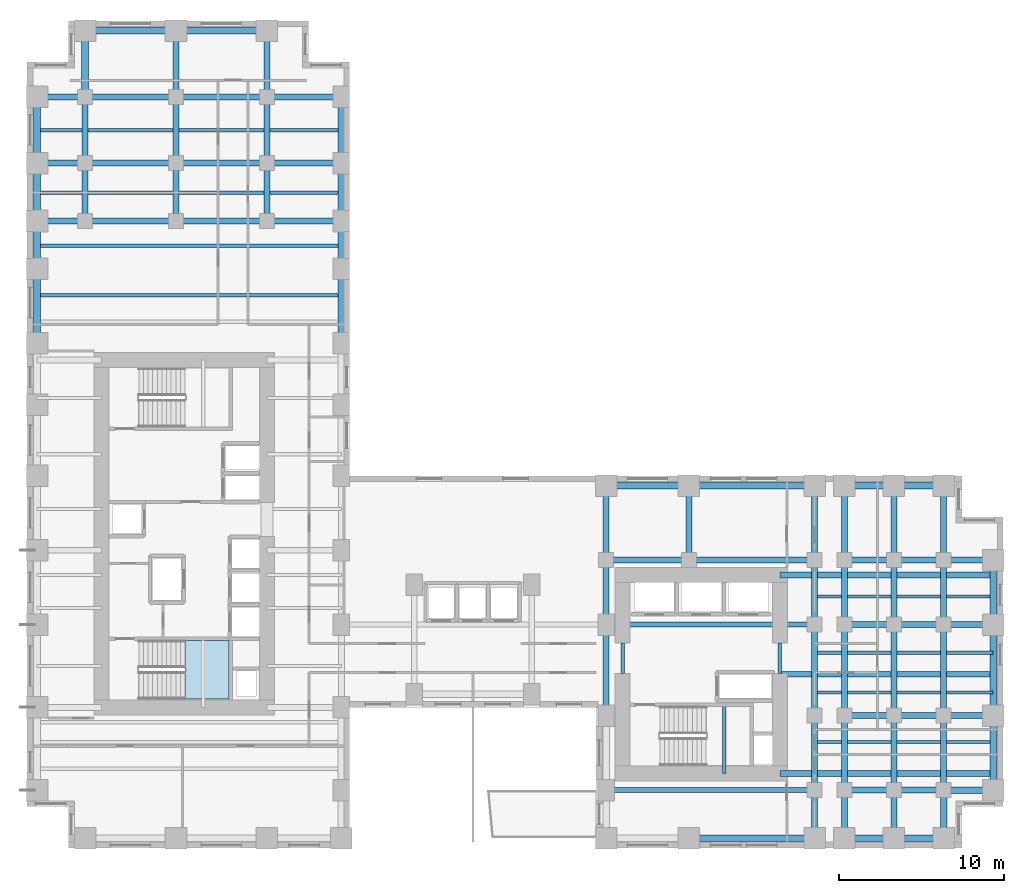
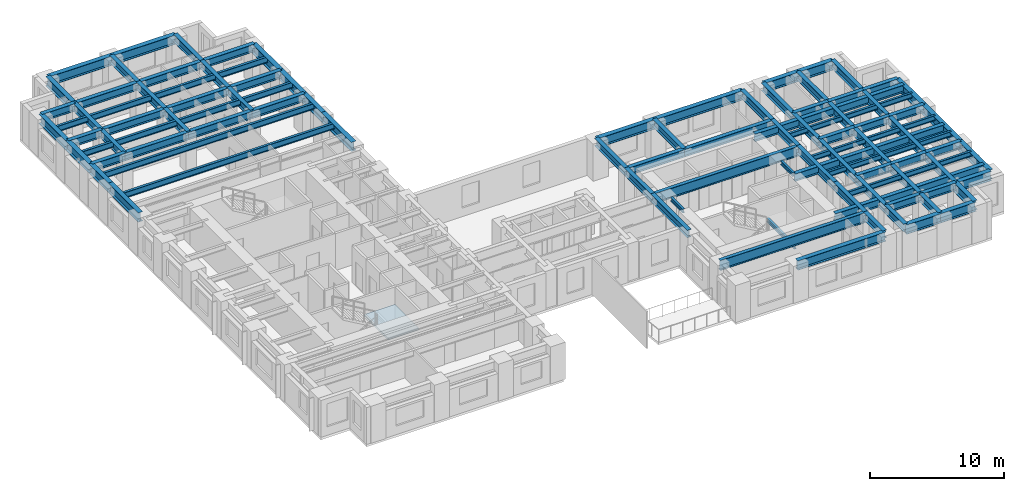
# One storey, part 2 of 12: 95 beams, 1 slab, 1 element without a shape of its own.
"""IFC4 building model written with IfcOpenShell, lengths in metres."""

from ifc_helpers import new_model, si_unit, direction, frame, origin, origin_2d, place, context, subcontext, project, spatial, polyline, i_section, outline, extrude, source, transform, mapped, material, layer, layer_set, material_profile, profile_set, type_object, element, aggregate, save


model = new_model("IFC4")

# Units and contexts
model_context = context("Model", 3, precision=1e-05, world=origin(), true_north=direction((0.0, 1.0)))
body_context = subcontext(model_context, "Body", "Model", "MODEL_VIEW")
ifc_project = project(units=[si_unit("LENGTHUNIT", "METRE"), si_unit("AREAUNIT", "SQUARE_METRE"), si_unit("VOLUMEUNIT", "CUBIC_METRE"), si_unit("PLANEANGLEUNIT", "RADIAN"), si_unit("MASSUNIT", "GRAM", prefix="KILO")], contexts=[model_context])

# Site, building, storey
site_placement = place(None, origin())
site = spatial("IfcSite", under=ifc_project, at=site_placement, CompositionType="ELEMENT")
building_placement = place(site_placement, origin())
building = spatial("IfcBuilding", under=site, at=building_placement, Name="Kharzan Plaza Tower", CompositionType="ELEMENT")
storey_placement = place(building_placement, frame((0.0, 0.0, 62.10009765625)))
storey = spatial("IfcBuildingStorey", under=building, at=storey_placement, Name="L16", CompositionType="ELEMENT", Elevation=62.10009765625)

# Beams
ifc_material_1 = material(Name="Steel S355", Category="steel")
ifc_material_profile_1 = material_profile(ifc_material_1, i_section(OverallWidth=0.205078125, OverallDepth=0.35400390625, WebThickness=0.009521484375, FlangeThickness=0.016845703125, at=origin_2d()), Name="W360x79")
ifc_profile_set_1 = profile_set([ifc_material_profile_1], Name="Steel S355")
beam_type_1 = type_object("IfcBeamType", Name="BM-LNT360", PredefinedType="LINTEL", material=ifc_profile_set_1)
shared_shape_1 = source(origin(), body_context, "Body", "SweptSolid", [
    extrude(i_section(OverallWidth=0.205078125, OverallDepth=0.35400390625, WebThickness=0.009521484375, FlangeThickness=0.016845703125, at=origin_2d()), origin(), (0.0, 0.0, 1.0), 1.849853515625),
])
for number, where, z_axis, x_axis, name in (
    (1, (45.5, 10.550048828125, 3.202880859375), (0.0, 1.0, 0.0), (-1.0, 0.0, 0.0), "L16 CORE-B coupling lintel LN1-WE"),
    (2, (36.0, 10.550048828125, 3.202880859375), (0.0, 1.0, 0.0), (-1.0, 0.0, 0.0), "L16 CORE-B coupling lintel LN1-WW"),
):
    element("IfcBeam", number, at=place(storey_placement, frame(where, z_axis=z_axis, x_axis=x_axis)), inside=storey, type_object=beam_type_1, Name=name, PredefinedType="LINTEL", context=body_context, shape_type="MappedRepresentation", body=[
        mapped(shared_shape_1, transform((0.0, 0.0, 0.0), x_axis=(1.0, 0.0, 0.0), y_axis=(0.0, 1.0, 0.0), z_axis=(0.0, 0.0, 1.0))),
    ])
shared_shape_2 = source(origin(), body_context, "Body", "SweptSolid", [
    extrude(i_section(OverallWidth=0.205078125, OverallDepth=0.35400390625, WebThickness=0.009521484375, FlangeThickness=0.016845703125, at=origin_2d()), origin(), (0.0, 0.0, 1.0), 4.155029296875),
])
beam_1_placement = place(storey_placement, frame((42.14990234375, 4.5, 1.4228515625), z_axis=(0.0, 1.0, 0.0), x_axis=(-1.0, 0.0, 0.0)))
element("IfcBeam", 3, at=beam_1_placement, inside=storey, type_object=beam_type_1, Name="L16 Stair ST-3 Half-Landing Beam", PredefinedType="LINTEL", context=body_context, shape_type="MappedRepresentation", body=[
    mapped(shared_shape_2, transform((0.0, 0.0, 0.0), x_axis=(1.0, 0.0, 0.0), y_axis=(0.0, 1.0, 0.0), z_axis=(0.0, 0.0, 1.0))),
])
ifc_material_profile_2 = material_profile(ifc_material_1, i_section(OverallWidth=0.304931640625, OverallDepth=0.9189453125, WebThickness=0.017333984375, FlangeThickness=0.02783203125, at=origin_2d()), Name="W920x253")
ifc_profile_set_2 = profile_set([ifc_material_profile_2], Name="Steel S355")
beam_type_2 = type_object("IfcBeamType", Name="BM-FG920B", PredefinedType="BEAM", material=ifc_profile_set_2)
shared_shape_3 = source(origin(), body_context, "Body", "SweptSolid", [
    extrude(i_section(OverallWidth=0.304931640625, OverallDepth=0.9189453125, WebThickness=0.017333984375, FlangeThickness=0.02783203125, at=origin_2d()), origin(), (0.0, 0.0, 1.0), 12.60009765625),
])
for number, where, z_axis, x_axis, name in (
    (4, (35.0, 3.5, 2.92041015625), (1.0, 0.0, 0.0), (0.0, 1.0, 0.0), "L16 Primary Floor Girder"),
    (5, (35.0, 13.5, 2.92041015625), (1.0, 0.0, 0.0), (0.0, 1.0, 0.0), "L16 Primary Floor Girder"),
):
    element("IfcBeam", number, at=place(storey_placement, frame(where, z_axis=z_axis, x_axis=x_axis)), inside=storey, type_object=beam_type_2, Name=name, PredefinedType="BEAM", context=body_context, shape_type="MappedRepresentation", body=[
        mapped(shared_shape_3, transform((0.0, 0.0, 0.0), x_axis=(1.0, 0.0, 0.0), y_axis=(0.0, 1.0, 0.0), z_axis=(0.0, 0.0, 1.0))),
    ])
ifc_material_profile_3 = material_profile(ifc_material_1, i_section(OverallWidth=0.35498046875, OverallDepth=0.695068359375, WebThickness=0.015380859375, FlangeThickness=0.02490234375, at=origin_2d()), Name="W690x217")
ifc_profile_set_3 = profile_set([ifc_material_profile_3], Name="Steel S355")
beam_type_3 = type_object("IfcBeamType", Name="BM-FG690A", PredefinedType="BEAM", material=ifc_profile_set_3)
shared_shape_4 = source(origin(), body_context, "Body", "SweptSolid", [
    extrude(i_section(OverallWidth=0.35498046875, OverallDepth=0.695068359375, WebThickness=0.015380859375, FlangeThickness=0.02490234375, at=origin_2d()), origin(), (0.0, 0.0, 1.0), 4.5),
])
for number, where, z_axis, x_axis, name in (
    (6, (35.0, 17.39990234375, 3.032470703125), (0.0, 1.0, 0.0), (-1.0, 0.0, 0.0), "L16 Interior Frame Girder"),
    (7, (40.0, 17.39990234375, 3.032470703125), (0.0, 1.0, 0.0), (-1.0, 0.0, 0.0), "L16 Interior Frame Girder"),
    (8, (47.60009765625, 3.5, 3.032470703125), (0.0, 1.0, 0.0), (-1.0, 0.0, 0.0), "L16 Interior Frame Girder"),
    (9, (47.60009765625, 17.39990234375, 3.032470703125), (0.0, 1.0, 0.0), (-1.0, 0.0, 0.0), "L16 Interior Frame Girder"),
    (10, (49.39990234375, 3.5, 3.032470703125), (0.0, 1.0, 0.0), (-1.0, 0.0, 0.0), "L16 Interior Frame Girder"),
    (11, (49.39990234375, 17.39990234375, 3.032470703125), (0.0, 1.0, 0.0), (-1.0, 0.0, 0.0), "L16 Interior Frame Girder"),
    (12, (52.39990234375, 3.5, 3.032470703125), (0.0, 1.0, 0.0), (-1.0, 0.0, 0.0), "L16 Interior Frame Girder"),
    (13, (52.39990234375, 17.39990234375, 3.032470703125), (0.0, 1.0, 0.0), (-1.0, 0.0, 0.0), "L16 Interior Frame Girder"),
    (14, (55.39990234375, 3.5, 3.032470703125), (0.0, 1.0, 0.0), (-1.0, 0.0, 0.0), "L16 Interior Frame Girder"),
    (15, (55.39990234375, 17.39990234375, 3.032470703125), (0.0, 1.0, 0.0), (-1.0, 0.0, 0.0), "L16 Interior Frame Girder"),
    (16, (14.5, 41.39990234375, 3.032470703125), (1.0, 0.0, 0.0), (0.0, 1.0, 0.0), "L16 Primary Floor Girder"),
    (17, (14.5, 45.39990234375, 3.032470703125), (1.0, 0.0, 0.0), (0.0, 1.0, 0.0), "L16 Primary Floor Girder"),
    (18, (14.5, 37.89990234375, 3.032470703125), (1.0, 0.0, 0.0), (0.0, 1.0, 0.0), "L16 Primary Floor Girder"),
):
    element("IfcBeam", number, at=place(storey_placement, frame(where, z_axis=z_axis, x_axis=x_axis)), inside=storey, type_object=beam_type_3, Name=name, PredefinedType="BEAM", context=body_context, shape_type="MappedRepresentation", body=[
        mapped(shared_shape_4, transform((0.0, 0.0, 0.0), x_axis=(1.0, 0.0, 0.0), y_axis=(0.0, 1.0, 0.0), z_axis=(0.0, 0.0, 1.0))),
    ])
shared_shape_5 = source(origin(), body_context, "Body", "SweptSolid", [
    extrude(i_section(OverallWidth=0.35498046875, OverallDepth=0.695068359375, WebThickness=0.015380859375, FlangeThickness=0.02490234375, at=origin_2d()), origin(), (0.0, 0.0, 1.0), 3.89990234375),
])
for number, where, z_axis, x_axis, name in (
    (19, (35.0, 13.5, 3.032470703125), (0.0, 1.0, 0.0), (-1.0, 0.0, 0.0), "L16 Interior Frame Girder"),
    (20, (47.60009765625, 13.5, 3.032470703125), (0.0, 1.0, 0.0), (-1.0, 0.0, 0.0), "L16 Interior Frame Girder"),
    (21, (49.39990234375, 13.5, 3.032470703125), (0.0, 1.0, 0.0), (-1.0, 0.0, 0.0), "L16 Interior Frame Girder"),
    (22, (52.39990234375, 13.5, 3.032470703125), (0.0, 1.0, 0.0), (-1.0, 0.0, 0.0), "L16 Interior Frame Girder"),
    (23, (55.39990234375, 13.5, 3.032470703125), (0.0, 1.0, 0.0), (-1.0, 0.0, 0.0), "L16 Interior Frame Girder"),
):
    element("IfcBeam", number, at=place(storey_placement, frame(where, z_axis=z_axis, x_axis=x_axis)), inside=storey, type_object=beam_type_3, Name=name, PredefinedType="BEAM", context=body_context, shape_type="MappedRepresentation", body=[
        mapped(shared_shape_5, transform((0.0, 0.0, 0.0), x_axis=(1.0, 0.0, 0.0), y_axis=(0.0, 1.0, 0.0), z_axis=(0.0, 0.0, 1.0))),
    ])
shared_shape_6 = source(origin(), body_context, "Body", "SweptSolid", [
    extrude(i_section(OverallWidth=0.35498046875, OverallDepth=0.695068359375, WebThickness=0.015380859375, FlangeThickness=0.02490234375, at=origin_2d()), origin(), (0.0, 0.0, 1.0), 12.89990234375),
])
for number, where, z_axis, x_axis, name in (
    (24, (45.5, 4.5, 3.032470703125), (1.0, 0.0, 0.0), (0.0, 1.0, 0.0), "L16 Core-B East Floor Girder 1"),
    (25, (45.5, 10.5, 3.032470703125), (1.0, 0.0, 0.0), (0.0, 1.0, 0.0), "L16 Core-B East Floor Girder 2"),
    (26, (45.5, 16.5, 3.032470703125), (1.0, 0.0, 0.0), (0.0, 1.0, 0.0), "L16 Core-B East Floor Girder 3"),
):
    element("IfcBeam", number, at=place(storey_placement, frame(where, z_axis=z_axis, x_axis=x_axis)), inside=storey, type_object=beam_type_3, Name=name, PredefinedType="BEAM", context=body_context, shape_type="MappedRepresentation", body=[
        mapped(shared_shape_6, transform((0.0, 0.0, 0.0), x_axis=(1.0, 0.0, 0.0), y_axis=(0.0, 1.0, 0.0), z_axis=(0.0, 0.0, 1.0))),
    ])
shared_shape_7 = source(origin(), body_context, "Body", "SweptSolid", [
    extrude(i_section(OverallWidth=0.35498046875, OverallDepth=0.695068359375, WebThickness=0.015380859375, FlangeThickness=0.02490234375, at=origin_2d()), origin(), (0.0, 0.0, 1.0), 3.5),
])
for number, where, z_axis, x_axis, name in (
    (27, (3.5, 37.89990234375, 3.032470703125), (0.0, 1.0, 0.0), (-1.0, 0.0, 0.0), "L16 Interior Frame Girder"),
    (28, (9.0, 37.89990234375, 3.032470703125), (0.0, 1.0, 0.0), (-1.0, 0.0, 0.0), "L16 Interior Frame Girder"),
    (29, (14.5, 37.89990234375, 3.032470703125), (0.0, 1.0, 0.0), (-1.0, 0.0, 0.0), "L16 Interior Frame Girder"),
):
    element("IfcBeam", number, at=place(storey_placement, frame(where, z_axis=z_axis, x_axis=x_axis)), inside=storey, type_object=beam_type_3, Name=name, PredefinedType="BEAM", context=body_context, shape_type="MappedRepresentation", body=[
        mapped(shared_shape_7, transform((0.0, 0.0, 0.0), x_axis=(1.0, 0.0, 0.0), y_axis=(0.0, 1.0, 0.0), z_axis=(0.0, 0.0, 1.0))),
    ])
shared_shape_8 = source(origin(), body_context, "Body", "SweptSolid", [
    extrude(i_section(OverallWidth=0.35498046875, OverallDepth=0.695068359375, WebThickness=0.015380859375, FlangeThickness=0.02490234375, at=origin_2d()), origin(), (0.0, 0.0, 1.0), 4.0),
])
for number, where, z_axis, x_axis, name in (
    (30, (3.5, 41.39990234375, 3.032470703125), (0.0, 1.0, 0.0), (-1.0, 0.0, 0.0), "L16 Interior Frame Girder"),
    (31, (9.0, 41.39990234375, 3.032470703125), (0.0, 1.0, 0.0), (-1.0, 0.0, 0.0), "L16 Interior Frame Girder"),
    (32, (9.0, 45.39990234375, 3.032470703125), (0.0, 1.0, 0.0), (-1.0, 0.0, 0.0), "L16 Interior Frame Girder"),
    (33, (14.5, 41.39990234375, 3.032470703125), (0.0, 1.0, 0.0), (-1.0, 0.0, 0.0), "L16 Interior Frame Girder"),
    (34, (14.5, 45.39990234375, 3.032470703125), (0.0, 1.0, 0.0), (-1.0, 0.0, 0.0), "L16 Interior Frame Girder"),
):
    element("IfcBeam", number, at=place(storey_placement, frame(where, z_axis=z_axis, x_axis=x_axis)), inside=storey, type_object=beam_type_3, Name=name, PredefinedType="BEAM", context=body_context, shape_type="MappedRepresentation", body=[
        mapped(shared_shape_8, transform((0.0, 0.0, 0.0), x_axis=(1.0, 0.0, 0.0), y_axis=(0.0, 1.0, 0.0), z_axis=(0.0, 0.0, 1.0))),
    ])
shared_shape_9 = source(origin(), body_context, "Body", "SweptSolid", [
    extrude(i_section(OverallWidth=0.35498046875, OverallDepth=0.695068359375, WebThickness=0.015380859375, FlangeThickness=0.02490234375, at=origin_2d()), origin(), (0.0, 0.0, 1.0), 5.0),
])
beam_2_placement = place(storey_placement, frame((35.0, 17.39990234375, 3.032470703125), z_axis=(1.0, 0.0, 0.0), x_axis=(0.0, 1.0, 0.0)))
element("IfcBeam", 35, at=beam_2_placement, inside=storey, type_object=beam_type_3, Name="L16 Primary Floor Girder", PredefinedType="BEAM", context=body_context, shape_type="MappedRepresentation", body=[
    mapped(shared_shape_9, transform((0.0, 0.0, 0.0), x_axis=(1.0, 0.0, 0.0), y_axis=(0.0, 1.0, 0.0), z_axis=(0.0, 0.0, 1.0))),
])
shared_shape_10 = source(origin(), body_context, "Body", "SweptSolid", [
    extrude(i_section(OverallWidth=0.35498046875, OverallDepth=0.695068359375, WebThickness=0.015380859375, FlangeThickness=0.02490234375, at=origin_2d()), origin(), (0.0, 0.0, 1.0), 5.5),
])
for number, where, z_axis, x_axis, name in (
    (36, (35.0, 8.0, 3.032470703125), (0.0, 1.0, 0.0), (-1.0, 0.0, 0.0), "L16 Interior Frame Girder"),
    (37, (47.60009765625, 8.0, 3.032470703125), (0.0, 1.0, 0.0), (-1.0, 0.0, 0.0), "L16 Interior Frame Girder"),
    (38, (49.39990234375, 8.0, 3.032470703125), (0.0, 1.0, 0.0), (-1.0, 0.0, 0.0), "L16 Interior Frame Girder"),
    (39, (52.39990234375, 8.0, 3.032470703125), (0.0, 1.0, 0.0), (-1.0, 0.0, 0.0), "L16 Interior Frame Girder"),
    (40, (55.39990234375, 8.0, 3.032470703125), (0.0, 1.0, 0.0), (-1.0, 0.0, 0.0), "L16 Interior Frame Girder"),
    (41, (3.5, 45.39990234375, 3.032470703125), (1.0, 0.0, 0.0), (0.0, 1.0, 0.0), "L16 Primary Floor Girder"),
    (42, (9.0, 45.39990234375, 3.032470703125), (1.0, 0.0, 0.0), (0.0, 1.0, 0.0), "L16 Primary Floor Girder"),
    (43, (3.5, 37.89990234375, 3.032470703125), (1.0, 0.0, 0.0), (0.0, 1.0, 0.0), "L16 Primary Floor Girder"),
    (44, (9.0, 37.89990234375, 3.032470703125), (1.0, 0.0, 0.0), (0.0, 1.0, 0.0), "L16 Primary Floor Girder"),
    (45, (3.5, 41.39990234375, 3.032470703125), (1.0, 0.0, 0.0), (0.0, 1.0, 0.0), "L16 Primary Floor Girder"),
    (46, (9.0, 41.39990234375, 3.032470703125), (1.0, 0.0, 0.0), (0.0, 1.0, 0.0), "L16 Primary Floor Girder"),
):
    element("IfcBeam", number, at=place(storey_placement, frame(where, z_axis=z_axis, x_axis=x_axis)), inside=storey, type_object=beam_type_3, Name=name, PredefinedType="BEAM", context=body_context, shape_type="MappedRepresentation", body=[
        mapped(shared_shape_10, transform((0.0, 0.0, 0.0), x_axis=(1.0, 0.0, 0.0), y_axis=(0.0, 1.0, 0.0), z_axis=(0.0, 0.0, 1.0))),
    ])
shared_shape_11 = source(origin(), body_context, "Body", "SweptSolid", [
    extrude(i_section(OverallWidth=0.35498046875, OverallDepth=0.695068359375, WebThickness=0.015380859375, FlangeThickness=0.02490234375, at=origin_2d()), origin(), (0.0, 0.0, 1.0), 2.89990234375),
])
for number, where, z_axis, x_axis, name in (
    (47, (47.60009765625, 0.60009765625, 3.032470703125), (0.0, 1.0, 0.0), (-1.0, 0.0, 0.0), "L16 Interior Frame Girder"),
    (48, (49.39990234375, 0.60009765625, 3.032470703125), (0.0, 1.0, 0.0), (-1.0, 0.0, 0.0), "L16 Interior Frame Girder"),
    (49, (52.39990234375, 0.60009765625, 3.032470703125), (0.0, 1.0, 0.0), (-1.0, 0.0, 0.0), "L16 Interior Frame Girder"),
    (50, (0.60009765625, 45.39990234375, 3.032470703125), (1.0, 0.0, 0.0), (0.0, 1.0, 0.0), "L16 Primary Floor Girder"),
    (51, (0.60009765625, 37.89990234375, 3.032470703125), (1.0, 0.0, 0.0), (0.0, 1.0, 0.0), "L16 Primary Floor Girder"),
    (52, (0.60009765625, 41.39990234375, 3.032470703125), (1.0, 0.0, 0.0), (0.0, 1.0, 0.0), "L16 Primary Floor Girder"),
):
    element("IfcBeam", number, at=place(storey_placement, frame(where, z_axis=z_axis, x_axis=x_axis)), inside=storey, type_object=beam_type_3, Name=name, PredefinedType="BEAM", context=body_context, shape_type="MappedRepresentation", body=[
        mapped(shared_shape_11, transform((0.0, 0.0, 0.0), x_axis=(1.0, 0.0, 0.0), y_axis=(0.0, 1.0, 0.0), z_axis=(0.0, 0.0, 1.0))),
    ])
shared_shape_12 = source(origin(), body_context, "Body", "SweptSolid", [
    extrude(i_section(OverallWidth=0.35498046875, OverallDepth=0.695068359375, WebThickness=0.015380859375, FlangeThickness=0.02490234375, at=origin_2d()), origin(), (0.0, 0.0, 1.0), 3.0),
])
for number, where, z_axis, x_axis, name in (
    (53, (49.39990234375, 3.5, 3.032470703125), (1.0, 0.0, 0.0), (0.0, 1.0, 0.0), "L16 Primary Floor Girder"),
    (54, (52.39990234375, 3.5, 3.032470703125), (1.0, 0.0, 0.0), (0.0, 1.0, 0.0), "L16 Primary Floor Girder"),
    (55, (49.39990234375, 8.0, 3.032470703125), (1.0, 0.0, 0.0), (0.0, 1.0, 0.0), "L16 Primary Floor Girder"),
    (56, (52.39990234375, 8.0, 3.032470703125), (1.0, 0.0, 0.0), (0.0, 1.0, 0.0), "L16 Primary Floor Girder"),
    (57, (55.39990234375, 8.0, 3.032470703125), (1.0, 0.0, 0.0), (0.0, 1.0, 0.0), "L16 Primary Floor Girder"),
    (58, (49.39990234375, 13.5, 3.032470703125), (1.0, 0.0, 0.0), (0.0, 1.0, 0.0), "L16 Primary Floor Girder"),
    (59, (52.39990234375, 13.5, 3.032470703125), (1.0, 0.0, 0.0), (0.0, 1.0, 0.0), "L16 Primary Floor Girder"),
    (60, (55.39990234375, 13.5, 3.032470703125), (1.0, 0.0, 0.0), (0.0, 1.0, 0.0), "L16 Primary Floor Girder"),
    (61, (49.39990234375, 17.39990234375, 3.032470703125), (1.0, 0.0, 0.0), (0.0, 1.0, 0.0), "L16 Primary Floor Girder"),
    (62, (52.39990234375, 17.39990234375, 3.032470703125), (1.0, 0.0, 0.0), (0.0, 1.0, 0.0), "L16 Primary Floor Girder"),
    (63, (55.39990234375, 17.39990234375, 3.032470703125), (1.0, 0.0, 0.0), (0.0, 1.0, 0.0), "L16 Primary Floor Girder"),
):
    element("IfcBeam", number, at=place(storey_placement, frame(where, z_axis=z_axis, x_axis=x_axis)), inside=storey, type_object=beam_type_3, Name=name, PredefinedType="BEAM", context=body_context, shape_type="MappedRepresentation", body=[
        mapped(shared_shape_12, transform((0.0, 0.0, 0.0), x_axis=(1.0, 0.0, 0.0), y_axis=(0.0, 1.0, 0.0), z_axis=(0.0, 0.0, 1.0))),
    ])
shared_shape_13 = source(origin(), body_context, "Body", "SweptSolid", [
    extrude(i_section(OverallWidth=0.35498046875, OverallDepth=0.695068359375, WebThickness=0.015380859375, FlangeThickness=0.02490234375, at=origin_2d()), origin(), (0.0, 0.0, 1.0), 7.60009765625),
])
beam_3_placement = place(storey_placement, frame((40.0, 17.39990234375, 3.032470703125), z_axis=(1.0, 0.0, 0.0), x_axis=(0.0, 1.0, 0.0)))
element("IfcBeam", 64, at=beam_3_placement, inside=storey, type_object=beam_type_3, Name="L16 Primary Floor Girder", PredefinedType="BEAM", context=body_context, shape_type="MappedRepresentation", body=[
    mapped(shared_shape_13, transform((0.0, 0.0, 0.0), x_axis=(1.0, 0.0, 0.0), y_axis=(0.0, 1.0, 0.0), z_axis=(0.0, 0.0, 1.0))),
])
ifc_material_profile_4 = material_profile(ifc_material_1, i_section(OverallWidth=0.2099609375, OverallDepth=0.537109375, WebThickness=0.010986328125, FlangeThickness=0.017333984375, at=origin_2d()), Name="W530x101")
ifc_profile_set_4 = profile_set([ifc_material_profile_4], Name="Steel S355")
beam_type_4 = type_object("IfcBeamType", Name="BM-JST530B", PredefinedType="JOIST", material=ifc_profile_set_4)
shared_shape_14 = source(origin(), body_context, "Body", "SweptSolid", [
    extrude(i_section(OverallWidth=0.2099609375, OverallDepth=0.537109375, WebThickness=0.010986328125, FlangeThickness=0.017333984375, at=origin_2d()), origin(), (0.0, 0.0, 1.0), 18.39990234375),
])
for number, where, z_axis, x_axis, name in (
    (65, (0.60009765625, 33.39990234375, 3.111328125), (1.0, 0.0, 0.0), (0.0, 1.0, 0.0), "L16 Wing A Composite Joist 05"),
    (66, (0.60009765625, 36.39990234375, 3.111328125), (1.0, 0.0, 0.0), (0.0, 1.0, 0.0), "L16 Wing A Composite Joist 06"),
    (67, (0.60009765625, 39.60009765625, 3.111328125), (1.0, 0.0, 0.0), (0.0, 1.0, 0.0), "L16 Wing A Composite Joist 07"),
    (68, (0.60009765625, 43.39990234375, 3.111328125), (1.0, 0.0, 0.0), (0.0, 1.0, 0.0), "L16 Wing A Composite Joist 08"),
):
    element("IfcBeam", number, at=place(storey_placement, frame(where, z_axis=z_axis, x_axis=x_axis)), inside=storey, type_object=beam_type_4, Name=name, PredefinedType="JOIST", context=body_context, shape_type="MappedRepresentation", body=[
        mapped(shared_shape_14, transform((0.0, 0.0, 0.0), x_axis=(1.0, 0.0, 0.0), y_axis=(0.0, 1.0, 0.0), z_axis=(0.0, 0.0, 1.0))),
    ])
ifc_material_profile_5 = material_profile(ifc_material_1, i_section(OverallWidth=0.194091796875, OverallDepth=0.468994140625, WebThickness=0.011474609375, FlangeThickness=0.0205078125, at=origin_2d()), Name="W460x106")
ifc_profile_set_5 = profile_set([ifc_material_profile_5], Name="Steel S355")
beam_type_5 = type_object("IfcBeamType", Name="BM-JST460", PredefinedType="JOIST", material=ifc_profile_set_5)
shared_shape_15 = source(origin(), body_context, "Body", "SweptSolid", [
    extrude(i_section(OverallWidth=0.194091796875, OverallDepth=0.468994140625, WebThickness=0.011474609375, FlangeThickness=0.0205078125, at=origin_2d()), origin(), (0.0, 0.0, 1.0), 10.7998046875),
])
for number, where, z_axis, x_axis, name in (
    (69, (47.60009765625, 6.39990234375, 3.1455078125), (1.0, 0.0, 0.0), (0.0, 1.0, 0.0), "L16 Wing B Composite Joist 02"),
    (70, (47.60009765625, 9.39990234375, 3.1455078125), (1.0, 0.0, 0.0), (0.0, 1.0, 0.0), "L16 Wing B Composite Joist 03"),
    (71, (47.60009765625, 11.800048828125, 3.1455078125), (1.0, 0.0, 0.0), (0.0, 1.0, 0.0), "L16 Wing B Composite Joist 04"),
    (72, (47.60009765625, 15.199951171875, 3.1455078125), (1.0, 0.0, 0.0), (0.0, 1.0, 0.0), "L16 Wing B Composite Joist 05"),
):
    element("IfcBeam", number, at=place(storey_placement, frame(where, z_axis=z_axis, x_axis=x_axis)), inside=storey, type_object=beam_type_5, Name=name, PredefinedType="JOIST", context=body_context, shape_type="MappedRepresentation", body=[
        mapped(shared_shape_15, transform((0.0, 0.0, 0.0), x_axis=(1.0, 0.0, 0.0), y_axis=(0.0, 1.0, 0.0), z_axis=(0.0, 0.0, 1.0))),
    ])
ifc_material_profile_6 = material_profile(ifc_material_1, i_section(OverallWidth=0.40087890625, OverallDepth=0.85498046875, WebThickness=0.018310546875, FlangeThickness=0.029296875, at=origin_2d()), Name="W840x299")
ifc_profile_set_6 = profile_set([ifc_material_profile_6], Name="Steel S355")
beam_type_6 = type_object("IfcBeamType", Name="BM-SP840A", PredefinedType="SPANDREL", material=ifc_profile_set_6)
shared_shape_16 = source(origin(), body_context, "Body", "SweptSolid", [
    extrude(i_section(OverallWidth=0.40087890625, OverallDepth=0.85498046875, WebThickness=0.018310546875, FlangeThickness=0.029296875, at=origin_2d()), origin(), (0.0, 0.0, 1.0), 5.0),
])
beam_4_placement = place(storey_placement, frame((35.0, 21.89990234375, 2.952392578125), z_axis=(1.0, 0.0, 0.0), x_axis=(0.0, 1.0, 0.0)))
element("IfcBeam", 73, at=beam_4_placement, inside=storey, type_object=beam_type_6, Name="L16 Perimeter Tube Spandrel", PredefinedType="SPANDREL", context=body_context, shape_type="MappedRepresentation", body=[
    mapped(shared_shape_16, transform((0.0, 0.0, 0.0), x_axis=(1.0, 0.0, 0.0), y_axis=(0.0, 1.0, 0.0), z_axis=(0.0, 0.0, 1.0))),
])
shared_shape_17 = source(origin(), body_context, "Body", "SweptSolid", [
    extrude(i_section(OverallWidth=0.40087890625, OverallDepth=0.85498046875, WebThickness=0.018310546875, FlangeThickness=0.029296875, at=origin_2d()), origin(), (0.0, 0.0, 1.0), 4.5),
])
for number, where, z_axis, x_axis, name in (
    (74, (0.60009765625, 30.5, 2.952392578125), (0.0, 1.0, 0.0), (-1.0, 0.0, 0.0), "L16 Perimeter Tube Spandrel"),
    (75, (19.0, 30.5, 2.952392578125), (0.0, 1.0, 0.0), (-1.0, 0.0, 0.0), "L16 Perimeter Tube Spandrel"),
    (76, (58.39990234375, 3.5, 2.952392578125), (0.0, 1.0, 0.0), (-1.0, 0.0, 0.0), "L16 Perimeter Tube Spandrel"),
):
    element("IfcBeam", number, at=place(storey_placement, frame(where, z_axis=z_axis, x_axis=x_axis)), inside=storey, type_object=beam_type_6, Name=name, PredefinedType="SPANDREL", context=body_context, shape_type="MappedRepresentation", body=[
        mapped(shared_shape_17, transform((0.0, 0.0, 0.0), x_axis=(1.0, 0.0, 0.0), y_axis=(0.0, 1.0, 0.0), z_axis=(0.0, 0.0, 1.0))),
    ])
shared_shape_18 = source(origin(), body_context, "Body", "SweptSolid", [
    extrude(i_section(OverallWidth=0.40087890625, OverallDepth=0.85498046875, WebThickness=0.018310546875, FlangeThickness=0.029296875, at=origin_2d()), origin(), (0.0, 0.0, 1.0), 2.89990234375),
])
for number, where, z_axis, x_axis, name in (
    (77, (0.60009765625, 35.0, 2.952392578125), (0.0, 1.0, 0.0), (-1.0, 0.0, 0.0), "L16 Perimeter Tube Spandrel"),
    (78, (19.0, 35.0, 2.952392578125), (0.0, 1.0, 0.0), (-1.0, 0.0, 0.0), "L16 Perimeter Tube Spandrel"),
    (79, (55.39990234375, 0.60009765625, 2.952392578125), (0.0, 1.0, 0.0), (-1.0, 0.0, 0.0), "L16 Perimeter Tube Spandrel"),
):
    element("IfcBeam", number, at=place(storey_placement, frame(where, z_axis=z_axis, x_axis=x_axis)), inside=storey, type_object=beam_type_6, Name=name, PredefinedType="SPANDREL", context=body_context, shape_type="MappedRepresentation", body=[
        mapped(shared_shape_18, transform((0.0, 0.0, 0.0), x_axis=(1.0, 0.0, 0.0), y_axis=(0.0, 1.0, 0.0), z_axis=(0.0, 0.0, 1.0))),
    ])
shared_shape_19 = source(origin(), body_context, "Body", "SweptSolid", [
    extrude(i_section(OverallWidth=0.40087890625, OverallDepth=0.85498046875, WebThickness=0.018310546875, FlangeThickness=0.029296875, at=origin_2d()), origin(), (0.0, 0.0, 1.0), 3.5),
])
for number, where, z_axis, x_axis, name in (
    (80, (0.60009765625, 37.89990234375, 2.952392578125), (0.0, 1.0, 0.0), (-1.0, 0.0, 0.0), "L16 Perimeter Tube Spandrel"),
    (81, (19.0, 37.89990234375, 2.952392578125), (0.0, 1.0, 0.0), (-1.0, 0.0, 0.0), "L16 Perimeter Tube Spandrel"),
):
    element("IfcBeam", number, at=place(storey_placement, frame(where, z_axis=z_axis, x_axis=x_axis)), inside=storey, type_object=beam_type_6, Name=name, PredefinedType="SPANDREL", context=body_context, shape_type="MappedRepresentation", body=[
        mapped(shared_shape_19, transform((0.0, 0.0, 0.0), x_axis=(1.0, 0.0, 0.0), y_axis=(0.0, 1.0, 0.0), z_axis=(0.0, 0.0, 1.0))),
    ])
shared_shape_20 = source(origin(), body_context, "Body", "SweptSolid", [
    extrude(i_section(OverallWidth=0.40087890625, OverallDepth=0.85498046875, WebThickness=0.018310546875, FlangeThickness=0.029296875, at=origin_2d()), origin(), (0.0, 0.0, 1.0), 4.0),
])
for number, where, z_axis, x_axis, name in (
    (82, (0.60009765625, 41.39990234375, 2.952392578125), (0.0, 1.0, 0.0), (-1.0, 0.0, 0.0), "L16 Perimeter Tube Spandrel"),
    (83, (3.5, 45.39990234375, 2.952392578125), (0.0, 1.0, 0.0), (-1.0, 0.0, 0.0), "L16 Perimeter Tube Spandrel"),
    (84, (19.0, 41.39990234375, 2.952392578125), (0.0, 1.0, 0.0), (-1.0, 0.0, 0.0), "L16 Perimeter Tube Spandrel"),
):
    element("IfcBeam", number, at=place(storey_placement, frame(where, z_axis=z_axis, x_axis=x_axis)), inside=storey, type_object=beam_type_6, Name=name, PredefinedType="SPANDREL", context=body_context, shape_type="MappedRepresentation", body=[
        mapped(shared_shape_20, transform((0.0, 0.0, 0.0), x_axis=(1.0, 0.0, 0.0), y_axis=(0.0, 1.0, 0.0), z_axis=(0.0, 0.0, 1.0))),
    ])
shared_shape_21 = source(origin(), body_context, "Body", "SweptSolid", [
    extrude(i_section(OverallWidth=0.40087890625, OverallDepth=0.85498046875, WebThickness=0.018310546875, FlangeThickness=0.029296875, at=origin_2d()), origin(), (0.0, 0.0, 1.0), 5.5),
])
for number, where, z_axis, x_axis, name in (
    (85, (58.39990234375, 8.0, 2.952392578125), (0.0, 1.0, 0.0), (-1.0, 0.0, 0.0), "L16 Perimeter Tube Spandrel"),
    (86, (3.5, 49.39990234375, 2.952392578125), (1.0, 0.0, 0.0), (0.0, 1.0, 0.0), "L16 Perimeter Tube Spandrel"),
    (87, (9.0, 49.39990234375, 2.952392578125), (1.0, 0.0, 0.0), (0.0, 1.0, 0.0), "L16 Perimeter Tube Spandrel"),
):
    element("IfcBeam", number, at=place(storey_placement, frame(where, z_axis=z_axis, x_axis=x_axis)), inside=storey, type_object=beam_type_6, Name=name, PredefinedType="SPANDREL", context=body_context, shape_type="MappedRepresentation", body=[
        mapped(shared_shape_21, transform((0.0, 0.0, 0.0), x_axis=(1.0, 0.0, 0.0), y_axis=(0.0, 1.0, 0.0), z_axis=(0.0, 0.0, 1.0))),
    ])
shared_shape_22 = source(origin(), body_context, "Body", "SweptSolid", [
    extrude(i_section(OverallWidth=0.40087890625, OverallDepth=0.85498046875, WebThickness=0.018310546875, FlangeThickness=0.029296875, at=origin_2d()), origin(), (0.0, 0.0, 1.0), 3.89990234375),
])
beam_5_placement = place(storey_placement, frame((58.39990234375, 13.5, 2.952392578125), z_axis=(0.0, 1.0, 0.0), x_axis=(-1.0, 0.0, 0.0)))
element("IfcBeam", 88, at=beam_5_placement, inside=storey, type_object=beam_type_6, Name="L16 Perimeter Tube Spandrel", PredefinedType="SPANDREL", context=body_context, shape_type="MappedRepresentation", body=[
    mapped(shared_shape_22, transform((0.0, 0.0, 0.0), x_axis=(1.0, 0.0, 0.0), y_axis=(0.0, 1.0, 0.0), z_axis=(0.0, 0.0, 1.0))),
])
shared_shape_23 = source(origin(), body_context, "Body", "SweptSolid", [
    extrude(i_section(OverallWidth=0.40087890625, OverallDepth=0.85498046875, WebThickness=0.018310546875, FlangeThickness=0.029296875, at=origin_2d()), origin(), (0.0, 0.0, 1.0), 7.60009765625),
])
for number, where, z_axis, x_axis, name in (
    (89, (40.0, 0.60009765625, 2.952392578125), (1.0, 0.0, 0.0), (0.0, 1.0, 0.0), "L16 Perimeter Tube Spandrel"),
    (90, (40.0, 21.89990234375, 2.952392578125), (1.0, 0.0, 0.0), (0.0, 1.0, 0.0), "L16 Perimeter Tube Spandrel"),
):
    element("IfcBeam", number, at=place(storey_placement, frame(where, z_axis=z_axis, x_axis=x_axis)), inside=storey, type_object=beam_type_6, Name=name, PredefinedType="SPANDREL", context=body_context, shape_type="MappedRepresentation", body=[
        mapped(shared_shape_23, transform((0.0, 0.0, 0.0), x_axis=(1.0, 0.0, 0.0), y_axis=(0.0, 1.0, 0.0), z_axis=(0.0, 0.0, 1.0))),
    ])
shared_shape_24 = source(origin(), body_context, "Body", "SweptSolid", [
    extrude(i_section(OverallWidth=0.40087890625, OverallDepth=0.85498046875, WebThickness=0.018310546875, FlangeThickness=0.029296875, at=origin_2d()), origin(), (0.0, 0.0, 1.0), 3.0),
])
for number, where, z_axis, x_axis, name in (
    (91, (49.39990234375, 0.60009765625, 2.952392578125), (1.0, 0.0, 0.0), (0.0, 1.0, 0.0), "L16 Perimeter Tube Spandrel"),
    (92, (52.39990234375, 0.60009765625, 2.952392578125), (1.0, 0.0, 0.0), (0.0, 1.0, 0.0), "L16 Perimeter Tube Spandrel"),
    (93, (55.39990234375, 3.5, 2.952392578125), (1.0, 0.0, 0.0), (0.0, 1.0, 0.0), "L16 Perimeter Tube Spandrel"),
    (94, (49.39990234375, 21.89990234375, 2.952392578125), (1.0, 0.0, 0.0), (0.0, 1.0, 0.0), "L16 Perimeter Tube Spandrel"),
    (95, (52.39990234375, 21.89990234375, 2.952392578125), (1.0, 0.0, 0.0), (0.0, 1.0, 0.0), "L16 Perimeter Tube Spandrel"),
):
    element("IfcBeam", number, at=place(storey_placement, frame(where, z_axis=z_axis, x_axis=x_axis)), inside=storey, type_object=beam_type_6, Name=name, PredefinedType="SPANDREL", context=body_context, shape_type="MappedRepresentation", body=[
        mapped(shared_shape_24, transform((0.0, 0.0, 0.0), x_axis=(1.0, 0.0, 0.0), y_axis=(0.0, 1.0, 0.0), z_axis=(0.0, 0.0, 1.0))),
    ])

# Stair, slab
ifc_material_2 = material(Name="Concrete C40/50", Category="concrete")
stair_type = type_object("IfcStairType", Name="STR-ST-1", PredefinedType="HALF_TURN_STAIR", material=ifc_material_2)
stair_placement = place(storey_placement, origin())
stair = element("IfcStair", 96, at=stair_placement, inside=storey, type_object=stair_type, Name="L16 Protected Exit Stair ST-1", PredefinedType="HALF_TURN_STAIR")
ifc_layer = layer(ifc_material_2, 0.219970703125)
ifc_layer_set = layer_set([ifc_layer], Name="Concrete C40/50")
slab_type = type_object("IfcSlabType", Name="SL-LANDING-220", PredefinedType="LANDING", material=ifc_layer_set)
slab_placement = place(storey_placement, frame((0.0, 0.0, 1.599853515625)))
slab = element("IfcSlab", 97, at=slab_placement, type_object=slab_type, Name="ST-1 landing 1", PredefinedType="LANDING", context=body_context, shape_type="SweptSolid", body=[
    extrude(outline(polyline([(9.550048828125, 9.0), (12.199951171875, 9.0), (12.199951171875, 12.550048828125), (9.550048828125, 12.550048828125), (9.550048828125, 9.0)])), origin(), (0.0, 0.0, 1.0), 0.199951171875),
])
aggregate(stair, [slab])

save(model, "model.ifc")
